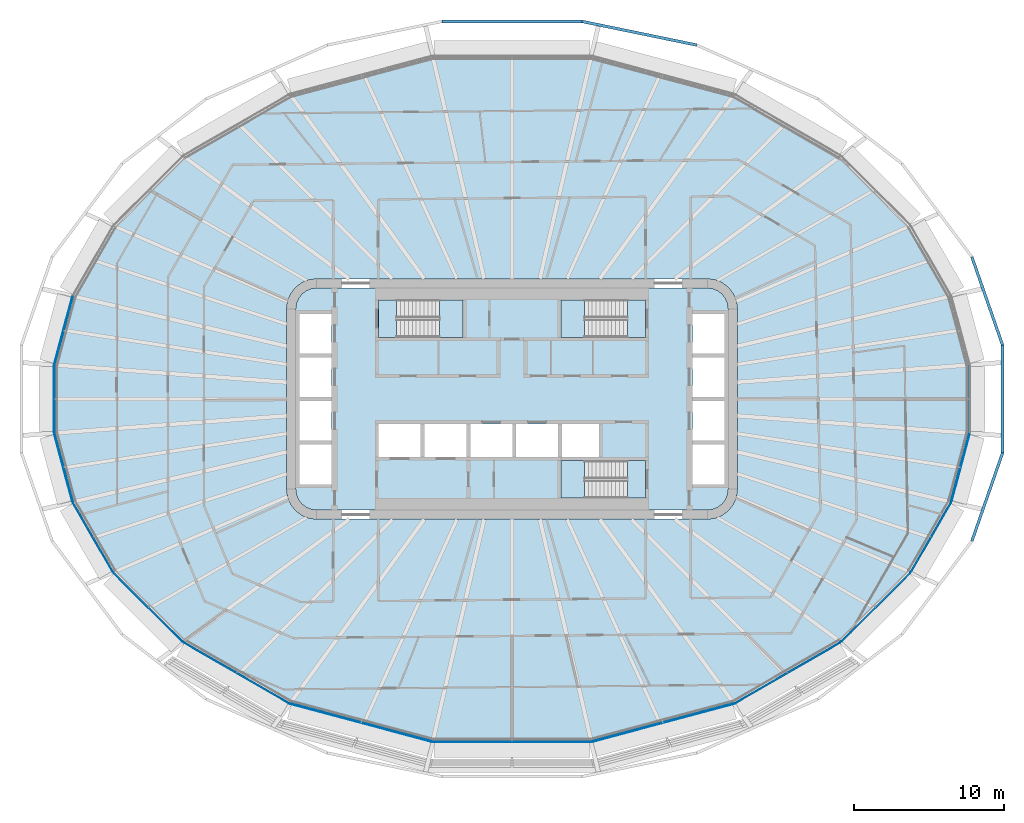
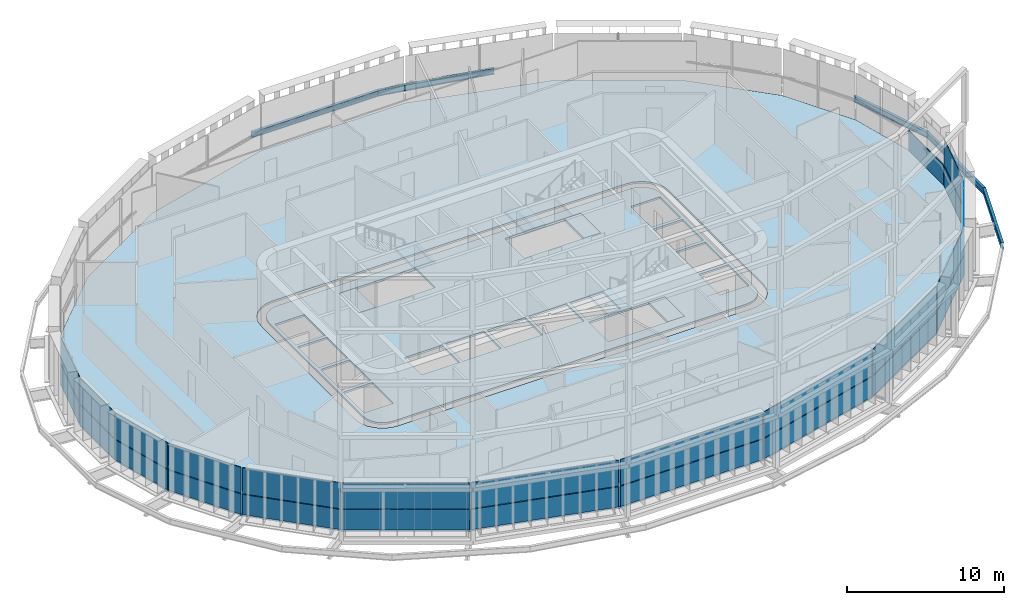
# One storey, part 10 of 23: 27 plates, 8 slabs, 5 beams, 17 elements without a shape of their own.
"""IFC4 building model written with IfcOpenShell, lengths in metres."""

from ifc_helpers import new_model, si_unit, direction, frame, origin, origin_2d, place, context, subcontext, project, spatial, polyline, i_section, outline, extrude, material, layer, layer_set, material_profile, profile_set, type_object, element, aggregate, save


model = new_model("IFC4")

# Units and contexts
model_context = context("Model", 3, precision=1e-05, world=origin(), true_north=direction((0.0, 1.0)))
body_context = subcontext(model_context, "Body", "Model", "MODEL_VIEW")
ifc_project = project(units=[si_unit("LENGTHUNIT", "METRE"), si_unit("AREAUNIT", "SQUARE_METRE"), si_unit("VOLUMEUNIT", "CUBIC_METRE"), si_unit("PLANEANGLEUNIT", "RADIAN"), si_unit("MASSUNIT", "GRAM", prefix="KILO")], contexts=[model_context])

# Site, building, storey
site_placement = place(None, origin())
site = spatial("IfcSite", under=ifc_project, at=site_placement, CompositionType="ELEMENT")
building_placement = place(site_placement, origin())
building = spatial("IfcBuilding", under=site, at=building_placement, Name="Sahrelin Media Tower", CompositionType="ELEMENT")
storey_placement = place(building_placement, frame((0.0, 0.0, 54.60009765625)))
storey = spatial("IfcBuildingStorey", under=building, at=storey_placement, Name="L08", CompositionType="ELEMENT", Elevation=54.60009765625)

# Beams
ifc_material_1 = material(Name="Steel S355", Category="steel")
ifc_material_profile = material_profile(ifc_material_1, i_section(OverallWidth=0.1904296875, OverallDepth=0.45703125, WebThickness=0.009033203125, FlangeThickness=0.014404296875, FilletRadius=0.01025390625, at=origin_2d()), Name="UB 457x191x74")
ifc_profile_set = profile_set([ifc_material_profile], Name="Steel S355")
beam_type = type_object("IfcBeamType", Name="Tie chord TC5", PredefinedType="BEAM", material=ifc_profile_set)
beam_1_placement = place(storey_placement, frame((32.64990234375, 3.589111328125, -0.378662109375), z_axis=(-0.328778181414, 0.944407172477, 0.0), x_axis=(-0.944407172477, -0.328778181414, 0.0)))
element("IfcBeam", 1, at=beam_1_placement, inside=storey, type_object=beam_type, Name="Tie chord L08-01", PredefinedType="BEAM", context=body_context, shape_type="SweptSolid", body=[
    extrude(i_section(OverallWidth=0.1904296875, OverallDepth=0.45703125, WebThickness=0.009033203125, FlangeThickness=0.014404296875, FilletRadius=0.01025390625, at=origin_2d()), origin(), (0.0, 0.0, 1.0), 6.213134765625),
])
beam_2_placement = place(storey_placement, frame((12.28662109375, 23.558349609375, -0.378662109375), z_axis=(-0.979388114358, 0.201987428952, 0.0), x_axis=(-0.201987428952, -0.979388114358, 0.0)))
element("IfcBeam", 2, at=beam_2_placement, inside=storey, type_object=beam_type, Name="Tie chord L08-05", PredefinedType="BEAM", context=body_context, shape_type="SweptSolid", body=[
    extrude(i_section(OverallWidth=0.1904296875, OverallDepth=0.45703125, WebThickness=0.009033203125, FlangeThickness=0.014404296875, FilletRadius=0.01025390625, at=origin_2d()), origin(), (0.0, 0.0, 1.0), 7.783935546875),
])
beam_3_placement = place(storey_placement, frame((4.6630859375, 25.130615234375, -0.378662109375), z_axis=(-1.0, 0.0, 0.0), x_axis=(0.0, -1.0, 0.0)))
element("IfcBeam", 3, at=beam_3_placement, inside=storey, type_object=beam_type, Name="Tie chord L08-06", PredefinedType="BEAM", context=body_context, shape_type="SweptSolid", body=[
    extrude(i_section(OverallWidth=0.1904296875, OverallDepth=0.45703125, WebThickness=0.009033203125, FlangeThickness=0.014404296875, FilletRadius=0.01025390625, at=origin_2d()), origin(), (0.0, 0.0, 1.0), 9.326171875),
])
beam_4_placement = place(storey_placement, frame((30.607177734375, -9.456787109375, -0.378662109375), z_axis=(0.328778181414, 0.944407172477, 0.0), x_axis=(-0.944407172477, 0.328778181414, 0.0)))
element("IfcBeam", 4, at=beam_4_placement, inside=storey, type_object=beam_type, Name="Tie chord L08-23", PredefinedType="BEAM", context=body_context, shape_type="SweptSolid", body=[
    extrude(i_section(OverallWidth=0.1904296875, OverallDepth=0.45703125, WebThickness=0.009033203125, FlangeThickness=0.014404296875, FilletRadius=0.01025390625, at=origin_2d()), origin(), (0.0, 0.0, 1.0), 6.213134765625),
])
beam_5_placement = place(storey_placement, frame((32.64990234375, -3.589111328125, -0.378662109375), z_axis=(0.0, 1.0, 0.0), x_axis=(-1.0, 0.0, 0.0)))
element("IfcBeam", 5, at=beam_5_placement, inside=storey, type_object=beam_type, Name="Tie chord L08-24", PredefinedType="BEAM", context=body_context, shape_type="SweptSolid", body=[
    extrude(i_section(OverallWidth=0.1904296875, OverallDepth=0.45703125, WebThickness=0.009033203125, FlangeThickness=0.014404296875, FilletRadius=0.01025390625, at=origin_2d()), origin(), (0.0, 0.0, 1.0), 7.17822265625),
])

# Slabs
ifc_material_2 = material(Name="Concrete C40/50", Category="concrete")
ifc_layer_1 = layer(ifc_material_2, 0.14990234375)
ifc_layer_set_1 = layer_set([ifc_layer_1], Name="Composite floor slab 150")
slab_type_1 = type_object("IfcSlabType", Name="Composite floor slab 150", PredefinedType="FLOOR", material=ifc_layer_set_1)
placement_1 = place(storey_placement, frame((0.0, 0.0, -0.150146484375)))
element("IfcSlab", 6, at=placement_1, inside=storey, type_object=slab_type_1, Name="Floor slab L08", PredefinedType="FLOOR", context=body_context, shape_type="SweptSolid", body=[
    extrude(outline(polyline([(30.4541015625, -2.26708984375), (30.4541015625, 2.26708984375), (29.2265625, 6.84814453125), (26.5263671875, 11.52490234375), (21.881591796875, 16.169677734375), (14.782470703125, 20.268310546875), (5.2822265625, 22.81396484375), (-5.2822265625, 22.81396484375), (-14.782470703125, 20.268310546875), (-21.881591796875, 16.169677734375), (-26.5263671875, 11.52490234375), (-29.2265625, 6.84814453125), (-30.4541015625, 2.26708984375), (-30.4541015625, -2.26708984375), (-29.2265625, -6.84814453125), (-26.5263671875, -11.52490234375), (-21.881591796875, -16.169677734375), (-14.782470703125, -20.268310546875), (-5.2822265625, -22.81396484375), (5.2822265625, -22.81396484375), (14.782470703125, -20.268310546875), (21.881591796875, -16.169677734375), (26.5263671875, -11.52490234375), (29.2265625, -6.84814453125), (30.4541015625, -2.26708984375)]), holes=[polyline([(14.931884765625, 6.517578125), (15.0, 6.0), (15.0, -6.0), (14.931884765625, -6.517578125), (14.732177734375, -7.0), (14.414306640625, -7.414306640625), (14.0, -7.732177734375), (13.517578125, -7.931884765625), (13.0, -8.0), (-13.0, -8.0), (-13.517578125, -7.931884765625), (-14.0, -7.732177734375), (-14.414306640625, -7.414306640625), (-14.732177734375, -7.0), (-14.931884765625, -6.517578125), (-15.0, -6.0), (-15.0, 6.0), (-14.931884765625, 6.517578125), (-14.732177734375, 7.0), (-14.414306640625, 7.414306640625), (-14.0, 7.732177734375), (-13.517578125, 7.931884765625), (-13.0, 8.0), (13.0, 8.0), (13.517578125, 7.931884765625), (14.0, 7.732177734375), (14.414306640625, 7.414306640625), (14.732177734375, 7.0), (14.931884765625, 6.517578125)])]), origin(), (0.0, 0.0, 1.0), 0.150146484375),
])
ifc_layer_2 = layer(ifc_material_2, 0.14990234375)
ifc_layer_set_2 = layer_set([ifc_layer_2], Name="Core floor slab 150")
slab_type_2 = type_object("IfcSlabType", Name="Core floor slab 150", PredefinedType="FLOOR", material=ifc_layer_set_2)
element("IfcSlab", 7, at=placement_1, inside=storey, type_object=slab_type_2, Name="Core floor", PredefinedType="FLOOR", context=body_context, shape_type="SweptSolid", body=[
    extrude(outline(polyline([(-14.347412109375, 6.361083984375), (-14.39990234375, 5.960693359375), (-14.39990234375, -5.960693359375), (-14.347412109375, -6.361083984375), (-14.2080078125, -6.697509765625), (-13.986328125, -6.986328125), (-13.697509765625, -7.2080078125), (-13.361083984375, -7.347412109375), (-12.960693359375, -7.39990234375), (12.960693359375, -7.39990234375), (13.361083984375, -7.347412109375), (13.697509765625, -7.2080078125), (13.986328125, -6.986328125), (14.2080078125, -6.697509765625), (14.347412109375, -6.361083984375), (14.39990234375, -5.960693359375), (14.39990234375, 5.960693359375), (14.347412109375, 6.361083984375), (14.2080078125, 6.697509765625), (13.986328125, 6.986328125), (13.697509765625, 7.2080078125), (13.361083984375, 7.347412109375), (12.960693359375, 7.39990234375), (-12.960693359375, 7.39990234375), (-13.361083984375, 7.347412109375), (-13.697509765625, 7.2080078125), (-13.986328125, 6.986328125), (-14.2080078125, 6.697509765625), (-14.347412109375, 6.361083984375)]), holes=[polyline([(-12.0, 3.02490234375), (-12.0, 5.675048828125), (-14.14990234375, 5.675048828125), (-14.14990234375, 3.02490234375), (-12.0, 3.02490234375)]), polyline([(-14.14990234375, 0.125), (-12.0, 0.125), (-12.0, 2.77490234375), (-14.14990234375, 2.77490234375), (-14.14990234375, 0.125)]), polyline([(-14.14990234375, -0.125), (-14.14990234375, -2.77490234375), (-12.0, -2.77490234375), (-12.0, -0.125), (-14.14990234375, -0.125)]), polyline([(-12.0, -3.02490234375), (-14.14990234375, -3.02490234375), (-14.14990234375, -5.675048828125), (-12.0, -5.675048828125), (-12.0, -3.02490234375)]), polyline([(14.14990234375, 3.02490234375), (14.14990234375, 5.675048828125), (12.0, 5.675048828125), (12.0, 3.02490234375), (14.14990234375, 3.02490234375)]), polyline([(12.0, 0.125), (14.14990234375, 0.125), (14.14990234375, 2.77490234375), (12.0, 2.77490234375), (12.0, 0.125)]), polyline([(12.0, -0.125), (12.0, -2.77490234375), (14.14990234375, -2.77490234375), (14.14990234375, -0.125), (12.0, -0.125)]), polyline([(14.14990234375, -3.02490234375), (12.0, -3.02490234375), (12.0, -5.675048828125), (14.14990234375, -5.675048828125), (14.14990234375, -3.02490234375)]), polyline([(-6.074951171875, -3.85009765625), (-6.074951171875, -1.64990234375), (-8.875, -1.64990234375), (-8.875, -3.85009765625), (-6.074951171875, -3.85009765625)]), polyline([(-5.824951171875, -3.85009765625), (-3.02490234375, -3.85009765625), (-3.02490234375, -1.64990234375), (-5.824951171875, -1.64990234375), (-5.824951171875, -3.85009765625)]), polyline([(-2.77490234375, -1.64990234375), (-2.77490234375, -3.85009765625), (0.02490234375, -3.85009765625), (0.02490234375, -1.64990234375), (-2.77490234375, -1.64990234375)]), polyline([(3.074951171875, -1.64990234375), (0.27490234375, -1.64990234375), (0.27490234375, -3.85009765625), (3.074951171875, -3.85009765625), (3.074951171875, -1.64990234375)]), polyline([(5.77490234375, -3.85009765625), (5.77490234375, -1.64990234375), (3.324951171875, -1.64990234375), (3.324951171875, -3.85009765625), (5.77490234375, -3.85009765625)]), polyline([(-8.875, 6.60009765625), (-8.875, 4.10009765625), (-3.27490234375, 4.10009765625), (-3.27490234375, 6.60009765625), (-8.875, 6.60009765625)]), polyline([(3.27490234375, 4.10009765625), (8.875, 4.10009765625), (8.875, 6.60009765625), (3.27490234375, 6.60009765625), (3.27490234375, 4.10009765625)]), polyline([(3.27490234375, -4.10009765625), (3.27490234375, -6.60009765625), (8.875, -6.60009765625), (8.875, -4.10009765625), (3.27490234375, -4.10009765625)])]), origin(), (0.0, 0.0, 1.0), 0.150146484375),
])

# Curtain wall, plate
ifc_material_3 = material(Name="Champagne anodised aluminium 6063-T6", Category="aluminium")
ifc_layer_3 = layer(ifc_material_3, 0.14990234375)
ifc_layer_set_3 = layer_set([ifc_layer_3], Name="Tower ribbon curtain wall")
curtain_wall_type = type_object("IfcCurtainWallType", Name="Tower ribbon curtain wall", PredefinedType="NOTDEFINED", material=ifc_layer_set_3)
curtain_wall_1_placement = place(storey_placement, frame((-29.859619140625, 4.562744140625, 0.0), z_axis=(0.0, 0.0, 1.0), x_axis=(1.0, 0.0, 0.0)))
curtain_wall_1 = element("IfcCurtainWall", 8, at=curtain_wall_1_placement, inside=storey, type_object=curtain_wall_type, Name="L08:CW:L08-11", PredefinedType="NOTDEFINED")
ifc_material_4 = material(Name="Clear low-iron glazing", Category="glass")
ifc_layer_4 = layer(ifc_material_4, 0.0400390625)
ifc_layer_set_4 = layer_set([ifc_layer_4], Name="Glazing panel 40 mm CW1")
plate_type_1 = type_object("IfcPlateType", Name="Glazing panel 40 mm CW1", PredefinedType="CURTAIN_PANEL", material=ifc_layer_set_4)
plate_1_placement = place(storey_placement, frame((-29.27734375, 6.812744140625, 1.6298828125), z_axis=(-0.965920385207, 0.258839350642, 0.0), x_axis=(-0.258839350642, -0.965920385207, 0.0)))
plate_1 = element("IfcPlate", 9, at=plate_1_placement, type_object=plate_type_1, Name="L08:CWP2:L08-11", PredefinedType="CURTAIN_PANEL", context=body_context, shape_type="SweptSolid", body=[
    extrude(outline(polyline([(0.0, 0.0), (4.648193359375, 0.0), (4.648193359375, 2.0185546875), (0.0, 2.0185546875), (0.0, 0.0)])), origin(), (0.0, 0.0, -1.0), 0.0400390625),
])

curtain_wall_2_placement = place(storey_placement, frame((-30.47412109375, 0.0, 0.0), z_axis=(0.0, 0.0, 1.0), x_axis=(1.0, 0.0, 0.0)))
curtain_wall_2 = element("IfcCurtainWall", 10, at=curtain_wall_2_placement, inside=storey, type_object=curtain_wall_type, Name="L08:CW:L08-12", PredefinedType="NOTDEFINED")
plate_2_placement = place(storey_placement, frame((-30.493896484375, 2.219482421875, 1.6298828125), z_axis=(-1.0, 0.0, 0.0), x_axis=(0.0, -1.0, 0.0)))
plate_2 = element("IfcPlate", 11, at=plate_2_placement, type_object=plate_type_1, Name="L08:CWP2:L08-12", PredefinedType="CURTAIN_PANEL", context=body_context, shape_type="SweptSolid", body=[
    extrude(outline(polyline([(0.0, 0.0), (4.43896484375, 0.0), (4.43896484375, 2.0185546875), (0.0, 2.0185546875), (0.0, 0.0)])), origin(), (0.0, 0.0, -1.0), 0.0400390625),
])

curtain_wall_3_placement = place(storey_placement, frame((-29.859619140625, -4.562744140625, 0.0), z_axis=(0.0, 0.0, 1.0), x_axis=(1.0, 0.0, 0.0)))
curtain_wall_3 = element("IfcCurtainWall", 12, at=curtain_wall_3_placement, inside=storey, type_object=curtain_wall_type, Name="L08:CW:L08-13", PredefinedType="NOTDEFINED")
plate_3_placement = place(storey_placement, frame((-30.48046875, -2.322998046875, 1.6298828125), z_axis=(-0.965920385207, -0.258839350642, 0.0), x_axis=(0.258839350642, -0.965920385207, 0.0)))
plate_3 = element("IfcPlate", 13, at=plate_3_placement, type_object=plate_type_1, Name="L08:CWP2:L08-13", PredefinedType="CURTAIN_PANEL", context=body_context, shape_type="SweptSolid", body=[
    extrude(outline(polyline([(0.0, 0.0), (4.648193359375, 0.0), (4.648193359375, 2.0185546875), (0.0, 2.0185546875), (0.0, 0.0)])), origin(), (0.0, 0.0, -1.0), 0.0400390625),
])

curtain_wall_4_placement = place(storey_placement, frame((-27.893798828125, -9.196533203125, 0.0), z_axis=(0.0, 0.0, 1.0), x_axis=(1.0, 0.0, 0.0)))
curtain_wall_4 = element("IfcCurtainWall", 14, at=curtain_wall_4_placement, inside=storey, type_object=curtain_wall_type, Name="L08:CW:L08-14", PredefinedType="NOTDEFINED")
plate_4_placement = place(storey_placement, frame((-29.2373046875, -6.9091796875, 1.6298828125), z_axis=(-0.866039990527, -0.49997473417, 0.0), x_axis=(0.49997473417, -0.866039990527, 0.0)))
plate_4 = element("IfcPlate", 15, at=plate_4_placement, type_object=plate_type_1, Name="L08:CWP2:L08-14", PredefinedType="CURTAIN_PANEL", context=body_context, shape_type="SweptSolid", body=[
    extrude(outline(polyline([(0.0, 0.0), (5.305419921875, 0.0), (5.305419921875, 2.0185546875), (0.0, 2.0185546875), (0.0, 0.0)])), origin(), (0.0, 0.0, -1.0), 0.0400390625),
])

curtain_wall_5_placement = place(storey_placement, frame((-24.218017578125, -13.861328125, 0.0), z_axis=(0.0, 0.0, 1.0), x_axis=(1.0, 0.0, 0.0)))
curtain_wall_5 = element("IfcCurtainWall", 16, at=curtain_wall_5_placement, inside=storey, type_object=curtain_wall_type, Name="L08:CW:L08-15", PredefinedType="NOTDEFINED")
plate_5_placement = place(storey_placement, frame((-26.52099609375, -11.5869140625, 1.6298828125), z_axis=(-0.707106781187, -0.707106781187, 0.0), x_axis=(0.707106781187, -0.707106781187, 0.0)))
plate_5 = element("IfcPlate", 17, at=plate_5_placement, type_object=plate_type_1, Name="L08:CWP2:L08-15", PredefinedType="CURTAIN_PANEL", context=body_context, shape_type="SweptSolid", body=[
    extrude(outline(polyline([(0.0, 0.0), (6.473388671875, 0.0), (6.473388671875, 2.0185546875), (0.0, 2.0185546875), (0.0, 0.0)])), origin(), (0.0, 0.0, -1.0), 0.0400390625),
])

curtain_wall_6_placement = place(storey_placement, frame((-18.342041015625, -18.236328125, 0.0), z_axis=(0.0, 0.0, 1.0), x_axis=(1.0, 0.0, 0.0)))
curtain_wall_6 = element("IfcCurtainWall", 18, at=curtain_wall_6_placement, inside=storey, type_object=curtain_wall_type, Name="L08:CW:L08-16", PredefinedType="NOTDEFINED")
plate_6_placement = place(storey_placement, frame((-21.860595703125, -16.227783203125, 1.6298828125), z_axis=(-0.500018045804, -0.866014984784, 0.0), x_axis=(0.866014984784, -0.500018045804, 0.0)))
plate_6 = element("IfcPlate", 19, at=plate_6_placement, type_object=plate_type_1, Name="L08:CWP2:L08-16", PredefinedType="CURTAIN_PANEL", context=body_context, shape_type="SweptSolid", body=[
    extrude(outline(polyline([(0.0, 0.0), (8.102783203125, 0.0), (8.102783203125, 2.0185546875), (0.0, 2.0185546875), (0.0, 0.0)])), origin(), (0.0, 0.0, -1.0), 0.0400390625),
])

curtain_wall_7_placement = place(storey_placement, frame((-10.03759765625, -21.560302734375, 0.0), z_axis=(0.0, 0.0, 1.0), x_axis=(1.0, 0.0, 0.0)))
curtain_wall_7 = element("IfcCurtainWall", 20, at=curtain_wall_7_placement, inside=storey, type_object=curtain_wall_type, Name="L08:CW:L08-17", PredefinedType="NOTDEFINED")
plate_7_placement = place(storey_placement, frame((-14.7470703125, -20.3193359375, 1.6298828125), z_axis=(-0.258813760539, -0.965927242268, 0.0), x_axis=(0.965927242268, -0.258813760539, 0.0)))
plate_7 = element("IfcPlate", 21, at=plate_7_placement, type_object=plate_type_1, Name="L08:CWP2:L08-17", PredefinedType="CURTAIN_PANEL", context=body_context, shape_type="SweptSolid", body=[
    extrude(outline(polyline([(0.0, 0.0), (9.740478515625, 0.0), (9.740478515625, 2.0185546875), (0.0, 2.0185546875), (0.0, 0.0)])), origin(), (0.0, 0.0, -1.0), 0.0400390625),
])

curtain_wall_8_placement = place(storey_placement, frame((0.0, -22.833984375, 0.0), z_axis=(0.0, 0.0, 1.0), x_axis=(1.0, 0.0, 0.0)))
curtain_wall_8 = element("IfcCurtainWall", 22, at=curtain_wall_8_placement, inside=storey, type_object=curtain_wall_type, Name="L08:CW:L08-18", PredefinedType="NOTDEFINED")
plate_8_placement = place(storey_placement, frame((-5.23486328125, -22.85400390625, 1.6298828125), z_axis=(0.0, -1.0, 0.0), x_axis=(1.0, 0.0, 0.0)))
plate_8 = element("IfcPlate", 23, at=plate_8_placement, type_object=plate_type_1, Name="L08:CWP2:L08-18", PredefinedType="CURTAIN_PANEL", context=body_context, shape_type="SweptSolid", body=[
    extrude(outline(polyline([(0.0, 0.0), (10.4697265625, 0.0), (10.4697265625, 2.0185546875), (0.0, 2.0185546875), (0.0, 0.0)])), origin(), (0.0, 0.0, -1.0), 0.0400390625),
])

curtain_wall_9_placement = place(storey_placement, frame((10.03759765625, -21.560302734375, 0.0), z_axis=(0.0, 0.0, 1.0), x_axis=(1.0, 0.0, 0.0)))
curtain_wall_9 = element("IfcCurtainWall", 24, at=curtain_wall_9_placement, inside=storey, type_object=curtain_wall_type, Name="L08:CW:L08-19", PredefinedType="NOTDEFINED")
plate_9_placement = place(storey_placement, frame((5.33837890625, -22.84033203125, 1.6298828125), z_axis=(0.258813760539, -0.965927242268, 0.0), x_axis=(0.965927242268, 0.258813760539, 0.0)))
plate_9 = element("IfcPlate", 25, at=plate_9_placement, type_object=plate_type_1, Name="L08:CWP2:L08-19", PredefinedType="CURTAIN_PANEL", context=body_context, shape_type="SweptSolid", body=[
    extrude(outline(polyline([(0.0, 0.0), (9.740478515625, 0.0), (9.740478515625, 2.0185546875), (0.0, 2.0185546875), (0.0, 0.0)])), origin(), (0.0, 0.0, -1.0), 0.0400390625),
])

curtain_wall_10_placement = place(storey_placement, frame((18.342041015625, -18.236328125, 0.0), z_axis=(0.0, 0.0, 1.0), x_axis=(1.0, 0.0, 0.0)))
curtain_wall_10 = element("IfcCurtainWall", 26, at=curtain_wall_10_placement, inside=storey, type_object=curtain_wall_type, Name="L08:CW:L08-20", PredefinedType="NOTDEFINED")
plate_10_placement = place(storey_placement, frame((14.843505859375, -20.279296875, 1.6298828125), z_axis=(0.500018045804, -0.866014984784, 0.0), x_axis=(0.866014984784, 0.500018045804, 0.0)))
plate_10 = element("IfcPlate", 27, at=plate_10_placement, type_object=plate_type_1, Name="L08:CWP2:L08-20", PredefinedType="CURTAIN_PANEL", context=body_context, shape_type="SweptSolid", body=[
    extrude(outline(polyline([(0.0, 0.0), (8.102783203125, 0.0), (8.102783203125, 2.0185546875), (0.0, 2.0185546875), (0.0, 0.0)])), origin(), (0.0, 0.0, -1.0), 0.0400390625),
])

curtain_wall_11_placement = place(storey_placement, frame((24.21826171875, -13.861572265625, 0.0), z_axis=(0.0, 0.0, 1.0), x_axis=(1.0, 0.0, 0.0)))
curtain_wall_11 = element("IfcCurtainWall", 28, at=curtain_wall_11_placement, inside=storey, type_object=curtain_wall_type, Name="L08:CW:L08-21", PredefinedType="NOTDEFINED")
plate_11_placement = place(storey_placement, frame((21.943603515625, -16.164306640625, 1.6298828125), z_axis=(0.707106781187, -0.707106781187, 0.0), x_axis=(0.707106781187, 0.707106781187, 0.0)))
plate_11 = element("IfcPlate", 29, at=plate_11_placement, type_object=plate_type_1, Name="L08:CWP2:L08-21", PredefinedType="CURTAIN_PANEL", context=body_context, shape_type="SweptSolid", body=[
    extrude(outline(polyline([(0.0, 0.0), (6.473388671875, 0.0), (6.473388671875, 2.0185546875), (0.0, 2.0185546875), (0.0, 0.0)])), origin(), (0.0, 0.0, -1.0), 0.0400390625),
])

curtain_wall_12_placement = place(storey_placement, frame((27.893798828125, -9.196533203125, 0.0), z_axis=(0.0, 0.0, 1.0), x_axis=(1.0, 0.0, 0.0)))
curtain_wall_12 = element("IfcCurtainWall", 30, at=curtain_wall_12_placement, inside=storey, type_object=curtain_wall_type, Name="L08:CW:L08-22", PredefinedType="NOTDEFINED")
plate_12_placement = place(storey_placement, frame((26.584716796875, -11.50390625, 1.6298828125), z_axis=(0.866039990527, -0.49997473417, 0.0), x_axis=(0.49997473417, 0.866039990527, 0.0)))
plate_12 = element("IfcPlate", 31, at=plate_12_placement, type_object=plate_type_1, Name="L08:CWP2:L08-22", PredefinedType="CURTAIN_PANEL", context=body_context, shape_type="SweptSolid", body=[
    extrude(outline(polyline([(0.0, 0.0), (5.305419921875, 0.0), (5.305419921875, 2.0185546875), (0.0, 2.0185546875), (0.0, 0.0)])), origin(), (0.0, 0.0, -1.0), 0.0400390625),
])

curtain_wall_13_placement = place(storey_placement, frame((29.859619140625, -4.562744140625, 0.0), z_axis=(0.0, 0.0, 1.0), x_axis=(1.0, 0.0, 0.0)))
curtain_wall_13 = element("IfcCurtainWall", 32, at=curtain_wall_13_placement, inside=storey, type_object=curtain_wall_type, Name="L08:CW:L08-23", PredefinedType="NOTDEFINED")
plate_13_placement = place(storey_placement, frame((29.27734375, -6.812744140625, 1.6298828125), z_axis=(0.965920385207, -0.258839350642, 0.0), x_axis=(0.258839350642, 0.965920385207, 0.0)))
plate_13 = element("IfcPlate", 33, at=plate_13_placement, type_object=plate_type_1, Name="L08:CWP2:L08-23", PredefinedType="CURTAIN_PANEL", context=body_context, shape_type="SweptSolid", body=[
    extrude(outline(polyline([(0.0, 0.0), (4.648193359375, 0.0), (4.648193359375, 2.0185546875), (0.0, 2.0185546875), (0.0, 0.0)])), origin(), (0.0, 0.0, -1.0), 0.0400390625),
])

curtain_wall_14_placement = place(storey_placement, frame((30.47412109375, 0.0, 0.0), z_axis=(0.0, 0.0, 1.0), x_axis=(1.0, 0.0, 0.0)))
curtain_wall_14 = element("IfcCurtainWall", 34, at=curtain_wall_14_placement, inside=storey, type_object=curtain_wall_type, Name="L08:CW:L08-00", PredefinedType="NOTDEFINED")
ifc_material_5 = material(Name="Insulated spandrel panel")
ifc_layer_5 = layer(ifc_material_5, 0.06005859375)
ifc_layer_set_5 = layer_set([ifc_layer_5], Name="Spandrel panel 60 mm CW1")
plate_type_2 = type_object("IfcPlateType", Name="Spandrel panel 60 mm CW1", PredefinedType="SHEET", material=ifc_layer_set_5)
plate_14_placement = place(storey_placement, frame((30.493896484375, -2.219482421875, 0.0), z_axis=(1.0, 0.0, 0.0), x_axis=(0.0, 1.0, 0.0)))
plate_14 = element("IfcPlate", 35, at=plate_14_placement, type_object=plate_type_2, Name="L08:CWP1:L08-00", PredefinedType="SHEET", context=body_context, shape_type="SweptSolid", body=[
    extrude(outline(polyline([(0.0, 0.0), (4.43896484375, 0.0), (4.43896484375, 1.56982421875), (0.0, 1.56982421875), (0.0, 0.0)])), origin(), (0.0, 0.0, -1.0), 0.06005859375),
])
aggregate(curtain_wall_14, [plate_14])

# Plate
plate_15_placement = place(storey_placement, frame((-29.27734375, 6.812744140625, 0.0), z_axis=(-0.965920385207, 0.258839350642, 0.0), x_axis=(-0.258839350642, -0.965920385207, 0.0)))
plate_15 = element("IfcPlate", 36, at=plate_15_placement, type_object=plate_type_2, Name="L08:CWP1:L08-11", PredefinedType="SHEET", context=body_context, shape_type="SweptSolid", body=[
    extrude(outline(polyline([(0.0, 0.0), (4.648193359375, 0.0), (4.648193359375, 1.56982421875), (0.0, 1.56982421875), (0.0, 0.0)])), origin(), (0.0, 0.0, -1.0), 0.06005859375),
])

aggregate(curtain_wall_1, [plate_15, plate_1])

plate_16_placement = place(storey_placement, frame((-30.493896484375, 2.219482421875, 0.0), z_axis=(-1.0, 0.0, 0.0), x_axis=(0.0, -1.0, 0.0)))
plate_16 = element("IfcPlate", 37, at=plate_16_placement, type_object=plate_type_2, Name="L08:CWP1:L08-12", PredefinedType="SHEET", context=body_context, shape_type="SweptSolid", body=[
    extrude(outline(polyline([(0.0, 0.0), (4.43896484375, 0.0), (4.43896484375, 1.56982421875), (0.0, 1.56982421875), (0.0, 0.0)])), origin(), (0.0, 0.0, -1.0), 0.06005859375),
])

aggregate(curtain_wall_2, [plate_16, plate_2])

plate_17_placement = place(storey_placement, frame((-30.48046875, -2.322998046875, 0.0), z_axis=(-0.965920385207, -0.258839350642, 0.0), x_axis=(0.258839350642, -0.965920385207, 0.0)))
plate_17 = element("IfcPlate", 38, at=plate_17_placement, type_object=plate_type_2, Name="L08:CWP1:L08-13", PredefinedType="SHEET", context=body_context, shape_type="SweptSolid", body=[
    extrude(outline(polyline([(0.0, 0.0), (4.648193359375, 0.0), (4.648193359375, 1.56982421875), (0.0, 1.56982421875), (0.0, 0.0)])), origin(), (0.0, 0.0, -1.0), 0.06005859375),
])

aggregate(curtain_wall_3, [plate_17, plate_3])

plate_18_placement = place(storey_placement, frame((-29.2373046875, -6.9091796875, 0.0), z_axis=(-0.866039990527, -0.49997473417, 0.0), x_axis=(0.49997473417, -0.866039990527, 0.0)))
plate_18 = element("IfcPlate", 39, at=plate_18_placement, type_object=plate_type_2, Name="L08:CWP1:L08-14", PredefinedType="SHEET", context=body_context, shape_type="SweptSolid", body=[
    extrude(outline(polyline([(0.0, 0.0), (5.305419921875, 0.0), (5.305419921875, 1.56982421875), (0.0, 1.56982421875), (0.0, 0.0)])), origin(), (0.0, 0.0, -1.0), 0.06005859375),
])

aggregate(curtain_wall_4, [plate_18, plate_4])

plate_19_placement = place(storey_placement, frame((-26.52099609375, -11.5869140625, 0.0), z_axis=(-0.707106781187, -0.707106781187, 0.0), x_axis=(0.707106781187, -0.707106781187, 0.0)))
plate_19 = element("IfcPlate", 40, at=plate_19_placement, type_object=plate_type_2, Name="L08:CWP1:L08-15", PredefinedType="SHEET", context=body_context, shape_type="SweptSolid", body=[
    extrude(outline(polyline([(0.0, 0.0), (6.473388671875, 0.0), (6.473388671875, 1.56982421875), (0.0, 1.56982421875), (0.0, 0.0)])), origin(), (0.0, 0.0, -1.0), 0.06005859375),
])

aggregate(curtain_wall_5, [plate_19, plate_5])

plate_20_placement = place(storey_placement, frame((-21.860595703125, -16.227783203125, 0.0), z_axis=(-0.500018045804, -0.866014984784, 0.0), x_axis=(0.866014984784, -0.500018045804, 0.0)))
plate_20 = element("IfcPlate", 41, at=plate_20_placement, type_object=plate_type_2, Name="L08:CWP1:L08-16", PredefinedType="SHEET", context=body_context, shape_type="SweptSolid", body=[
    extrude(outline(polyline([(0.0, 0.0), (8.102783203125, 0.0), (8.102783203125, 1.56982421875), (0.0, 1.56982421875), (0.0, 0.0)])), origin(), (0.0, 0.0, -1.0), 0.06005859375),
])

aggregate(curtain_wall_6, [plate_20, plate_6])

plate_21_placement = place(storey_placement, frame((-14.7470703125, -20.3193359375, 0.0), z_axis=(-0.258813760539, -0.965927242268, 0.0), x_axis=(0.965927242268, -0.258813760539, 0.0)))
plate_21 = element("IfcPlate", 42, at=plate_21_placement, type_object=plate_type_2, Name="L08:CWP1:L08-17", PredefinedType="SHEET", context=body_context, shape_type="SweptSolid", body=[
    extrude(outline(polyline([(0.0, 0.0), (9.740478515625, 0.0), (9.740478515625, 1.56982421875), (0.0, 1.56982421875), (0.0, 0.0)])), origin(), (0.0, 0.0, -1.0), 0.06005859375),
])

aggregate(curtain_wall_7, [plate_21, plate_7])

plate_22_placement = place(storey_placement, frame((-5.23486328125, -22.85400390625, 0.0), z_axis=(0.0, -1.0, 0.0), x_axis=(1.0, 0.0, 0.0)))
plate_22 = element("IfcPlate", 43, at=plate_22_placement, type_object=plate_type_2, Name="L08:CWP1:L08-18", PredefinedType="SHEET", context=body_context, shape_type="SweptSolid", body=[
    extrude(outline(polyline([(0.0, 0.0), (10.4697265625, 0.0), (10.4697265625, 1.56982421875), (0.0, 1.56982421875), (0.0, 0.0)])), origin(), (0.0, 0.0, -1.0), 0.06005859375),
])

aggregate(curtain_wall_8, [plate_22, plate_8])

plate_23_placement = place(storey_placement, frame((5.33837890625, -22.84033203125, 0.0), z_axis=(0.258813760539, -0.965927242268, 0.0), x_axis=(0.965927242268, 0.258813760539, 0.0)))
plate_23 = element("IfcPlate", 44, at=plate_23_placement, type_object=plate_type_2, Name="L08:CWP1:L08-19", PredefinedType="SHEET", context=body_context, shape_type="SweptSolid", body=[
    extrude(outline(polyline([(0.0, 0.0), (9.740478515625, 0.0), (9.740478515625, 1.56982421875), (0.0, 1.56982421875), (0.0, 0.0)])), origin(), (0.0, 0.0, -1.0), 0.06005859375),
])

aggregate(curtain_wall_9, [plate_23, plate_9])

plate_24_placement = place(storey_placement, frame((14.843505859375, -20.279296875, 0.0), z_axis=(0.500018045804, -0.866014984784, 0.0), x_axis=(0.866014984784, 0.500018045804, 0.0)))
plate_24 = element("IfcPlate", 45, at=plate_24_placement, type_object=plate_type_2, Name="L08:CWP1:L08-20", PredefinedType="SHEET", context=body_context, shape_type="SweptSolid", body=[
    extrude(outline(polyline([(0.0, 0.0), (8.102783203125, 0.0), (8.102783203125, 1.56982421875), (0.0, 1.56982421875), (0.0, 0.0)])), origin(), (0.0, 0.0, -1.0), 0.06005859375),
])

aggregate(curtain_wall_10, [plate_24, plate_10])

plate_25_placement = place(storey_placement, frame((21.943603515625, -16.164306640625, 0.0), z_axis=(0.707106781187, -0.707106781187, 0.0), x_axis=(0.707106781187, 0.707106781187, 0.0)))
plate_25 = element("IfcPlate", 46, at=plate_25_placement, type_object=plate_type_2, Name="L08:CWP1:L08-21", PredefinedType="SHEET", context=body_context, shape_type="SweptSolid", body=[
    extrude(outline(polyline([(0.0, 0.0), (6.473388671875, 0.0), (6.473388671875, 1.56982421875), (0.0, 1.56982421875), (0.0, 0.0)])), origin(), (0.0, 0.0, -1.0), 0.06005859375),
])

aggregate(curtain_wall_11, [plate_25, plate_11])

plate_26_placement = place(storey_placement, frame((26.584716796875, -11.50390625, 0.0), z_axis=(0.866039990527, -0.49997473417, 0.0), x_axis=(0.49997473417, 0.866039990527, 0.0)))
plate_26 = element("IfcPlate", 47, at=plate_26_placement, type_object=plate_type_2, Name="L08:CWP1:L08-22", PredefinedType="SHEET", context=body_context, shape_type="SweptSolid", body=[
    extrude(outline(polyline([(0.0, 0.0), (5.305419921875, 0.0), (5.305419921875, 1.56982421875), (0.0, 1.56982421875), (0.0, 0.0)])), origin(), (0.0, 0.0, -1.0), 0.06005859375),
])

aggregate(curtain_wall_12, [plate_26, plate_12])

plate_27_placement = place(storey_placement, frame((29.27734375, -6.812744140625, 0.0), z_axis=(0.965920385207, -0.258839350642, 0.0), x_axis=(0.258839350642, 0.965920385207, 0.0)))
plate_27 = element("IfcPlate", 48, at=plate_27_placement, type_object=plate_type_2, Name="L08:CWP1:L08-23", PredefinedType="SHEET", context=body_context, shape_type="SweptSolid", body=[
    extrude(outline(polyline([(0.0, 0.0), (4.648193359375, 0.0), (4.648193359375, 1.56982421875), (0.0, 1.56982421875), (0.0, 0.0)])), origin(), (0.0, 0.0, -1.0), 0.06005859375),
])

aggregate(curtain_wall_13, [plate_27, plate_13])

# Stair, slabs
stair_type = type_object("IfcStairType", Name="Exit stair 1200", PredefinedType="HALF_TURN_STAIR", material=ifc_material_2)
placement_2 = place(storey_placement, origin())
stair_1 = element("IfcStair", 49, at=placement_2, inside=storey, type_object=stair_type, Name="L08 Exit stair ST1", PredefinedType="HALF_TURN_STAIR")
ifc_layer_6 = layer(ifc_material_2, 0.199951171875)
ifc_layer_set_6 = layer_set([ifc_layer_6], Name="Stair landing 200")
slab_type_3 = type_object("IfcSlabType", Name="Stair landing 200", PredefinedType="LANDING", material=ifc_layer_set_6)
placement_3 = place(storey_placement, frame((0.0, 0.0, 1.89990234375)))
slab_3 = element("IfcSlab", 50, at=placement_3, type_object=slab_type_3, Name="ST1 landing 1", PredefinedType="LANDING", context=body_context, shape_type="SweptSolid", body=[
    extrude(outline(polyline([(-4.81494140625, 4.10009765625), (-3.27490234375, 4.10009765625), (-3.27490234375, 6.60009765625), (-4.81494140625, 6.60009765625), (-4.81494140625, 4.10009765625)])), origin(), (0.0, 0.0, 1.0), 0.199951171875),
])
placement_4 = place(storey_placement, frame((0.0, 0.0, -0.2001953125)))
slab_4 = element("IfcSlab", 51, at=placement_4, type_object=slab_type_3, Name="ST1 landing 2", PredefinedType="LANDING", context=body_context, shape_type="SweptSolid", body=[
    extrude(outline(polyline([(-8.875, 4.10009765625), (-7.675048828125, 4.10009765625), (-7.675048828125, 6.60009765625), (-8.875, 6.60009765625), (-8.875, 4.10009765625)])), origin(), (0.0, 0.0, 1.0), 0.2001953125),
])
aggregate(stair_1, [slab_3, slab_4])

stair_2 = element("IfcStair", 52, at=placement_2, inside=storey, type_object=stair_type, Name="L08 Exit stair ST3", PredefinedType="HALF_TURN_STAIR")
slab_5 = element("IfcSlab", 53, at=placement_3, type_object=slab_type_3, Name="ST3 landing 1", PredefinedType="LANDING", context=body_context, shape_type="SweptSolid", body=[
    extrude(outline(polyline([(4.81494140625, 6.60009765625), (3.27490234375, 6.60009765625), (3.27490234375, 4.10009765625), (4.81494140625, 4.10009765625), (4.81494140625, 6.60009765625)])), origin(), (0.0, 0.0, 1.0), 0.199951171875),
])
slab_6 = element("IfcSlab", 54, at=placement_4, type_object=slab_type_3, Name="ST3 landing 2", PredefinedType="LANDING", context=body_context, shape_type="SweptSolid", body=[
    extrude(outline(polyline([(8.875, 6.60009765625), (7.675048828125, 6.60009765625), (7.675048828125, 4.10009765625), (8.875, 4.10009765625), (8.875, 6.60009765625)])), origin(), (0.0, 0.0, 1.0), 0.2001953125),
])
aggregate(stair_2, [slab_5, slab_6])

stair_3 = element("IfcStair", 55, at=placement_2, inside=storey, type_object=stair_type, Name="L08 Exit stair ST2", PredefinedType="HALF_TURN_STAIR")
slab_7 = element("IfcSlab", 56, at=placement_3, type_object=slab_type_3, Name="ST2 landing 1", PredefinedType="LANDING", context=body_context, shape_type="SweptSolid", body=[
    extrude(outline(polyline([(4.81494140625, -4.10009765625), (3.27490234375, -4.10009765625), (3.27490234375, -6.60009765625), (4.81494140625, -6.60009765625), (4.81494140625, -4.10009765625)])), origin(), (0.0, 0.0, 1.0), 0.199951171875),
])
slab_8 = element("IfcSlab", 57, at=placement_4, type_object=slab_type_3, Name="ST2 landing 2", PredefinedType="LANDING", context=body_context, shape_type="SweptSolid", body=[
    extrude(outline(polyline([(8.875, -4.10009765625), (7.675048828125, -4.10009765625), (7.675048828125, -6.60009765625), (8.875, -6.60009765625), (8.875, -4.10009765625)])), origin(), (0.0, 0.0, 1.0), 0.2001953125),
])
aggregate(stair_3, [slab_7, slab_8])

save(model, "model.ifc")
